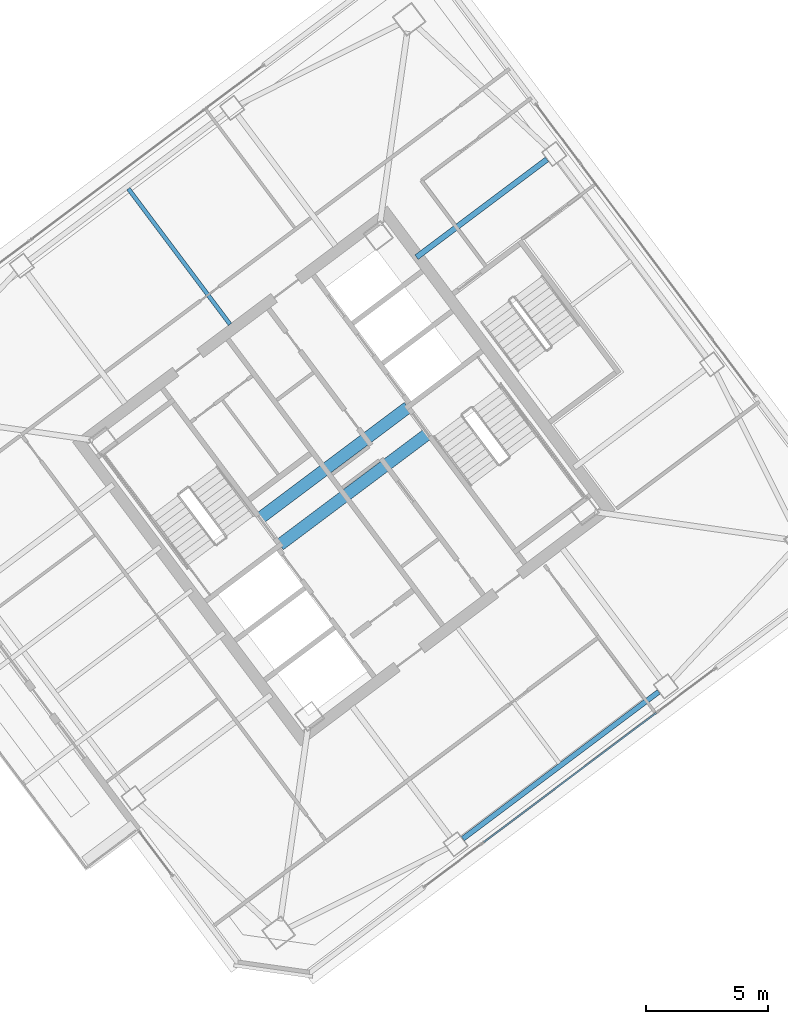
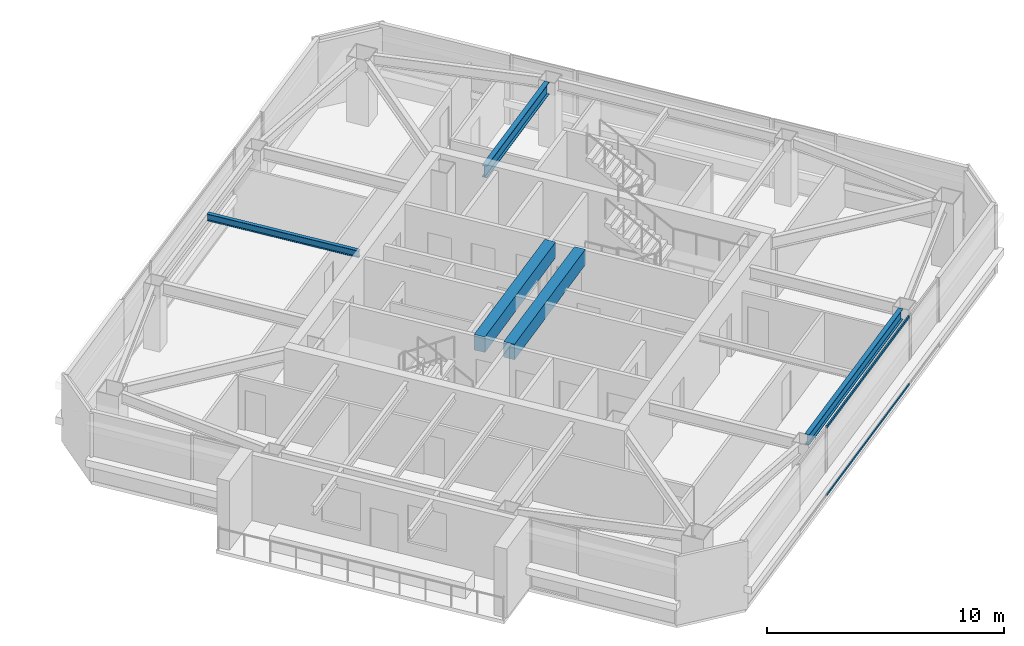
# One storey, part 22 of 39: 5 beams, 2 members, 1 element without a shape of its own.
"""IFC4 building model written with IfcOpenShell, lengths in metres."""

import ifcopenshell
import ifcopenshell.guid

model = None  # the IFC model being written
_history = None  # IfcOwnerHistory: only IFC2X3 demands one
_inside = {}  # id of a spatial element -> (the spatial element, [elements in it])
_under = {}  # id of a project, library or spatial element -> (it, [spatial elements below it])
_declared = {}  # id of a project -> (the project, [libraries it declares])
_typed = {}  # id of a type object -> (the type object, [elements of that type])
_made_of = {}  # id of a material, layer set ... -> (it, [elements and type objects made of it])


def new_model(schema):
    """Start an empty IFC model of exactly this schema.

    Asked for "IFC4X3", IfcOpenShell would pick the latest addendum, in which some entities
    have other attributes; the version numbers below select the first issue.
    IFC2X3 requires an IfcOwnerHistory on every rooted entity: one is made here for all.
    """
    global model, _history
    if schema == "IFC4X3":
        model = ifcopenshell.file(schema_version=(4, 3, 0, 0))
    else:
        model = ifcopenshell.file(schema=schema)
    _inside.clear()
    _under.clear()
    _declared.clear()
    _typed.clear()
    _made_of.clear()
    _history = None
    if model.schema == "IFC2X3":
        org = make("IfcOrganization", Name="unknown")
        user = make(
            "IfcPersonAndOrganization",
            ThePerson=make("IfcPerson", FamilyName="unknown"),
            TheOrganization=org,
        )
        app = make(
            "IfcApplication",
            ApplicationDeveloper=org,
            Version="unknown",
            ApplicationFullName="unknown",
            ApplicationIdentifier="unknown",
        )
        _history = make(
            "IfcOwnerHistory",
            OwningUser=user,
            OwningApplication=app,
            ChangeAction="ADDED",
            CreationDate=0,
        )
    return model


def make(cls, **values):
    """One entity of the class cls with the attributes given. An attribute that is None is left unset."""
    return model.create_entity(
        cls, **{name: value for name, value in values.items() if value is not None}
    )


def rooted(cls, **values):
    """An entity with a GlobalId (a new one), such as an element, a storey or a relation."""
    return make(cls, GlobalId=ifcopenshell.guid.new(), OwnerHistory=_history, **values)


def si_unit(unit_type, name, prefix=None):
    """IfcSIUnit, for example si_unit("LENGTHUNIT", "METRE", prefix="MILLI")."""
    return make("IfcSIUnit", UnitType=unit_type, Prefix=prefix, Name=name)


def assignment(units):
    """IfcUnitAssignment: the units of a project."""
    return None if units is None else make("IfcUnitAssignment", Units=units)


def point(xyz):
    """IfcCartesianPoint."""
    return None if xyz is None else make("IfcCartesianPoint", Coordinates=xyz)


def direction(xyz):
    """IfcDirection."""
    return None if xyz is None else make("IfcDirection", DirectionRatios=xyz)


def frame(location, z_axis=None, x_axis=None):
    """IfcAxis2Placement3D, a coordinate frame: its origin and axes. An axis left out is left unset."""
    return make(
        "IfcAxis2Placement3D",
        Location=point(location),
        Axis=direction(z_axis),
        RefDirection=direction(x_axis),
    )


def frame_2d(location, x_axis=None):
    """IfcAxis2Placement2D, a coordinate frame in the plane: its origin and x axis."""
    return make(
        "IfcAxis2Placement2D", Location=point(location), RefDirection=direction(x_axis)
    )


def origin():
    """The frame at (0, 0, 0) with its axes left unset."""
    return frame((0.0, 0.0, 0.0))


def origin_2d():
    """The frame at (0, 0) in the plane with its x axis left unset."""
    return frame_2d((0.0, 0.0))


def place(relative_to, where):
    """IfcLocalPlacement: puts the frame where relative to a parent placement (None: the world)."""
    return make(
        "IfcLocalPlacement", PlacementRelTo=relative_to, RelativePlacement=where
    )


def context(
    kind, dimensions, precision=None, world=None, true_north=None, identifier=None
):
    """IfcGeometricRepresentationContext, for example the 3D "Model" context."""
    return make(
        "IfcGeometricRepresentationContext",
        ContextIdentifier=identifier,
        ContextType=kind,
        CoordinateSpaceDimension=dimensions,
        Precision=precision,
        WorldCoordinateSystem=world,
        TrueNorth=true_north,
    )


def subcontext(parent, identifier, kind, view, scale=None):
    """IfcGeometricRepresentationSubContext, for example "Body" below "Model"."""
    return make(
        "IfcGeometricRepresentationSubContext",
        ContextIdentifier=identifier,
        ContextType=kind,
        ParentContext=parent,
        TargetScale=scale,
        TargetView=view,
    )


def project(units=None, contexts=None):
    """IfcProject with its units and contexts."""
    return rooted(
        "IfcProject",
        Name="project",
        RepresentationContexts=contexts,
        UnitsInContext=assignment(units),
    )


def spatial(cls, under=None, at=None, **own):
    """A site, building, storey or space (cls), placed at a placement, below another one or the project."""
    s = rooted(cls, ObjectPlacement=at, **own)
    if under is not None:
        _under.setdefault(under.id(), (under, []))[1].append(s)
    return s


def profile(cls, at=None, kind="AREA", **sizes):
    """A parametric profile (cls). Its sizes go by their IFC names, for example OverallWidth=200.0."""
    return make(cls, ProfileType=kind, Position=at, **sizes)


def rectangle(**sizes):
    """IfcRectangleProfileDef."""
    return profile("IfcRectangleProfileDef", **sizes)


def hollow_rectangle(**sizes):
    """IfcRectangleHollowProfileDef."""
    return profile("IfcRectangleHollowProfileDef", **sizes)


def i_section(**sizes):
    """IfcIShapeProfileDef."""
    return profile("IfcIShapeProfileDef", **sizes)


def extrude(swept, where, along, depth):
    """IfcExtrudedAreaSolid: the profile swept, set in the frame where, extruded along a direction by depth."""
    return make(
        "IfcExtrudedAreaSolid",
        SweptArea=swept,
        Position=where,
        ExtrudedDirection=direction(along),
        Depth=depth,
    )


def shape(context_of_items, identifier, shape_type, items):
    """IfcShapeRepresentation: the items that make up one representation, for example the "Body"."""
    return make(
        "IfcShapeRepresentation",
        ContextOfItems=context_of_items,
        RepresentationIdentifier=identifier,
        RepresentationType=shape_type,
        Items=items,
    )


def material(Name=None, Category=None):
    """IfcMaterial."""
    return make("IfcMaterial", Name=Name, Category=Category)


def material_profile(
    of_material, cross_section, Name=None, Category=None, Priority=None
):
    """IfcMaterialProfile: a cross section and its material."""
    return make(
        "IfcMaterialProfile",
        Name=Name,
        Material=of_material,
        Profile=cross_section,
        Priority=Priority,
        Category=Category,
    )


def profile_set(profiles, Name=None, composite=None):
    """IfcMaterialProfileSet."""
    return make(
        "IfcMaterialProfileSet",
        Name=Name,
        MaterialProfiles=profiles,
        CompositeProfile=composite,
    )


def made_of(thing, what):
    """Note that an element or type object is made of a material, layer set ...; save() writes the relation."""
    if what is not None:
        _made_of.setdefault(what.id(), (what, []))[1].append(thing)
    return thing


def type_object(cls, material=None, **own):
    """A type object (cls), such as IfcWallType, which elements share."""
    return made_of(rooted(cls, **own), material)


def element(
    cls,
    number,
    at=None,
    inside=None,
    cuts=None,
    type_object=None,
    material=None,
    context=None,
    identifier="Body",
    shape_type=None,
    held_by="IfcProductDefinitionShape",
    body=None,
    shapes=None,
    **own,
):
    """One element of the class cls, such as IfcWall. Its Tag is "e" and its number.

    at: its placement. inside: the storey or other place that contains it. cuts: it is an
    opening in that element (IfcRelVoidsElement). A single representation is given by context,
    identifier, shape_type and body (its items); several are given by shapes. held_by: the class
    of the entity that holds the representations. save() writes the other relations.
    """
    e = rooted(cls, Tag="e%d" % number, ObjectPlacement=at, **own)
    if body is not None:
        shapes = [shape(context, identifier, shape_type, body)]
    if shapes is not None:
        e.Representation = make(held_by, Representations=shapes)
    if inside is not None:
        _inside.setdefault(inside.id(), (inside, []))[1].append(e)
    if cuts is not None:
        rooted(
            "IfcRelVoidsElement", RelatingBuildingElement=cuts, RelatedOpeningElement=e
        )
    if type_object is not None:
        _typed.setdefault(type_object.id(), (type_object, []))[1].append(e)
    return made_of(e, material)


def aggregate(whole, parts):
    """IfcRelAggregates: a whole, such as a stair, and the parts it consists of."""
    return rooted("IfcRelAggregates", RelatingObject=whole, RelatedObjects=parts)


def save(model, path):
    """Write the relations noted so far, then the file.

    IfcRelAggregates (storeys below a building ...), IfcRelContainedInSpatialStructure (elements
    in a storey), IfcRelDefinesByType, IfcRelAssociatesMaterial and IfcRelDeclares: one each for
    every whole, place, type object, material and project.
    """
    for whole, parts in _under.values():
        aggregate(whole, parts)
    for where, things in _inside.values():
        rooted(
            "IfcRelContainedInSpatialStructure",
            RelatedElements=things,
            RelatingStructure=where,
        )
    for kind, things in _typed.values():
        rooted("IfcRelDefinesByType", RelatedObjects=things, RelatingType=kind)
    for what, things in _made_of.values():
        rooted("IfcRelAssociatesMaterial", RelatedObjects=things, RelatingMaterial=what)
    for by, libraries in _declared.values():
        rooted("IfcRelDeclares", RelatingContext=by, RelatedDefinitions=libraries)
    model.write(path)


model = new_model("IFC4")

# Units and contexts
model_context = context("Model", 3, precision=1e-05, world=origin(), true_north=direction((0.0, 1.0)))
body_context = subcontext(model_context, "Body", "Model", "MODEL_VIEW")
ifc_project = project(units=[si_unit("LENGTHUNIT", "METRE"), si_unit("AREAUNIT", "SQUARE_METRE"), si_unit("VOLUMEUNIT", "CUBIC_METRE"), si_unit("PLANEANGLEUNIT", "RADIAN"), si_unit("MASSUNIT", "GRAM", prefix="KILO")], contexts=[model_context])

# Site, building, storey
site_placement = place(None, origin())
site = spatial("IfcSite", under=ifc_project, at=site_placement, CompositionType="ELEMENT")
building_placement = place(site_placement, origin())
building = spatial("IfcBuilding", under=site, at=building_placement, Name="Tashvorn Skyway Center", CompositionType="ELEMENT")
storey_placement = place(building_placement, frame((0.0, 0.0, 225.5)))
storey = spatial("IfcBuildingStorey", under=building, at=storey_placement, Name="L61", CompositionType="ELEMENT", Elevation=225.5)

# Beams
ifc_material_1 = material(Name="Steel ASTM A992 Grade 50", Category="steel")
ifc_material_profile_1 = material_profile(ifc_material_1, i_section(OverallWidth=0.22998046875, OverallDepth=0.616943359375, WebThickness=0.01318359375, FlangeThickness=0.022216796875, at=origin_2d()), Name="W24X94")
ifc_profile_set_1 = profile_set([ifc_material_profile_1], Name="Steel ASTM A992 Grade 50")
beam_type_1 = type_object("IfcBeamType", Name="BM-BEAM-W24X94", PredefinedType="BEAM", material=ifc_profile_set_1)
beam_1_placement = place(storey_placement, frame((122.343994140625, 45.008056640625, 3.0615234375), z_axis=(-0.800004372583, -0.599994169845, 0.0), x_axis=(0.599994169845, -0.800004372583, 0.0)))
element("IfcBeam", 1, at=beam_1_placement, inside=storey, type_object=beam_type_1, Name="Tower 2 L61 Primary Floor Girder FC-E2", PredefinedType="BEAM", context=body_context, shape_type="SweptSolid", body=[
    extrude(i_section(OverallWidth=0.22998046875, OverallDepth=0.616943359375, WebThickness=0.01318359375, FlangeThickness=0.022216796875, at=origin_2d()), origin(), (0.0, 0.0, 1.0), 6.7001953125),
])
ifc_material_profile_2 = material_profile(ifc_material_1, i_section(OverallWidth=0.1708984375, OverallDepth=0.35498046875, WebThickness=0.007080078125, FlangeThickness=0.01171875, at=origin_2d()), Name="W14X34")
ifc_profile_set_2 = profile_set([ifc_material_profile_2], Name="Steel ASTM A992 Grade 50")
beam_type_2 = type_object("IfcBeamType", Name="BM-JOIST-W14X34", PredefinedType="JOIST", material=ifc_profile_set_2)
beam_2_placement = place(storey_placement, frame((109.325927734375, 38.23193359375, 3.1923828125), z_axis=(-0.599994389612, 0.800004207761, 0.0), x_axis=(-0.800004207761, -0.599994389612, 0.0)))
element("IfcBeam", 2, at=beam_2_placement, inside=storey, type_object=beam_type_2, Name="Tower 2 L61 Secondary Composite Joist JN", PredefinedType="JOIST", context=body_context, shape_type="SweptSolid", body=[
    extrude(i_section(OverallWidth=0.1708984375, OverallDepth=0.35498046875, WebThickness=0.007080078125, FlangeThickness=0.01171875, at=origin_2d()), origin(), (0.0, 0.0, 1.0), 6.962646484375),
])
ifc_material_2 = material(Name="Concrete C50/60", Category="concrete")
ifc_material_profile_3 = material_profile(ifc_material_2, rectangle(XDim=0.5, YDim=0.800048828125, at=origin_2d()), Name="RCB500x800")
ifc_profile_set_3 = profile_set([ifc_material_profile_3], Name="Concrete C50/60")
beam_type_3 = type_object("IfcBeamType", Name="BM-LINTEL-RCB500x800", PredefinedType="LINTEL", material=ifc_profile_set_3)
for number, where, z_axis, x_axis, name in (
    (3, (110.552001953125, 30.263916015625, 2.969970703125), (0.8, 0.6, 0.0), (-0.6, 0.8, 0.0), "Tower 2 L61 Core Coupling Beam CN"),
    (4, (111.367919921875, 29.176025390625, 2.969970703125), (0.8, 0.6, 0.0), (-0.6, 0.8, 0.0), "Tower 2 L61 Core Coupling Beam CS"),
):
    element("IfcBeam", number, at=place(storey_placement, frame(where, z_axis=z_axis, x_axis=x_axis)), inside=storey, type_object=beam_type_3, Name=name, PredefinedType="LINTEL", context=body_context, shape_type="SweptSolid", body=[
        extrude(rectangle(XDim=0.5, YDim=0.800048828125, at=origin_2d()), origin(), (0.0, 0.0, 1.0), 7.60009765625),
    ])
ifc_material_profile_4 = material_profile(ifc_material_1, i_section(OverallWidth=0.2109375, OverallDepth=0.5390625, WebThickness=0.01171875, FlangeThickness=0.018798828125, at=origin_2d()), Name="W21X73")
ifc_profile_set_4 = profile_set([ifc_material_profile_4], Name="Steel ASTM A992 Grade 50")
beam_type_4 = type_object("IfcBeamType", Name="BM-SPANDREL-W21X73", PredefinedType="SPANDREL", material=ifc_profile_set_4)
beam_3_placement = place(storey_placement, frame((118.885986328125, 17.10205078125, 3.1005859375), z_axis=(0.800008736549, 0.599988351091, 0.0), x_axis=(-0.599988351091, 0.800008736549, 0.0)))
element("IfcBeam", 5, at=beam_3_placement, inside=storey, type_object=beam_type_4, Name="Tower 2 L61 Spandrel Beam 02", PredefinedType="SPANDREL", context=body_context, shape_type="SweptSolid", body=[
    extrude(i_section(OverallWidth=0.2109375, OverallDepth=0.5390625, WebThickness=0.01171875, FlangeThickness=0.018798828125, at=origin_2d()), origin(), (0.0, 0.0, 1.0), 10.06005859375),
])

# Curtain wall, members
ifc_material_3 = material(Name="Thermally broken bronze-anodized aluminium 6063-T6", Category="aluminium")
curtain_wall_type = type_object("IfcCurtainWallType", Name="CW-CW-Z5", PredefinedType="NOTDEFINED", material=ifc_material_3)
curtain_wall_placement = place(storey_placement, origin())
curtain_wall = element("IfcCurtainWall", 6, at=curtain_wall_placement, inside=storey, type_object=curtain_wall_type, Name="Tower 2 L61 South Unitised Curtain Wall Glazing Group 2", PredefinedType="NOTDEFINED")
ifc_material_profile_5 = material_profile(ifc_material_3, hollow_rectangle(XDim=0.070068359375, YDim=0.114990234375, WallThickness=0.00390625, at=origin_2d()), Name="ALU-TRAN-70x115")
ifc_profile_set_5 = profile_set([ifc_material_profile_5], Name="Thermally broken bronze-anodized aluminium 6063-T6")
member_type = type_object("IfcMemberType", Name="CWT-CW-Z5", PredefinedType="USERDEFINED", material=ifc_profile_set_5)
member_1_placement = place(storey_placement, frame((126.82666015625, 22.27001953125, 0.034912109375), z_axis=(-0.799996688401, -0.600004415441, 0.0), x_axis=(0.600004415441, -0.799996688401, 0.0)))
member_1 = element("IfcMember", 7, at=member_1_placement, type_object=member_type, Name="CW-Z5 transom 1.1", ObjectType="TRANSOM", PredefinedType="USERDEFINED", context=body_context, shape_type="SweptSolid", body=[
    extrude(hollow_rectangle(XDim=0.070068359375, YDim=0.114990234375, WallThickness=0.00390625, at=origin_2d()), origin(), (0.0, 0.0, 1.0), 8.8466796875),
])
member_2_placement = place(storey_placement, frame((126.82666015625, 22.27001953125, 3.514892578125), z_axis=(-0.799996688401, -0.600004415441, 0.0), x_axis=(0.600004415441, -0.799996688401, 0.0)))
member_2 = element("IfcMember", 8, at=member_2_placement, type_object=member_type, Name="CW-Z5 transom 1.2", ObjectType="TRANSOM", PredefinedType="USERDEFINED", context=body_context, shape_type="SweptSolid", body=[
    extrude(hollow_rectangle(XDim=0.070068359375, YDim=0.114990234375, WallThickness=0.00390625, at=origin_2d()), origin(), (0.0, 0.0, 1.0), 8.8466796875),
])
aggregate(curtain_wall, [member_1, member_2])

save(model, "model.ifc")
